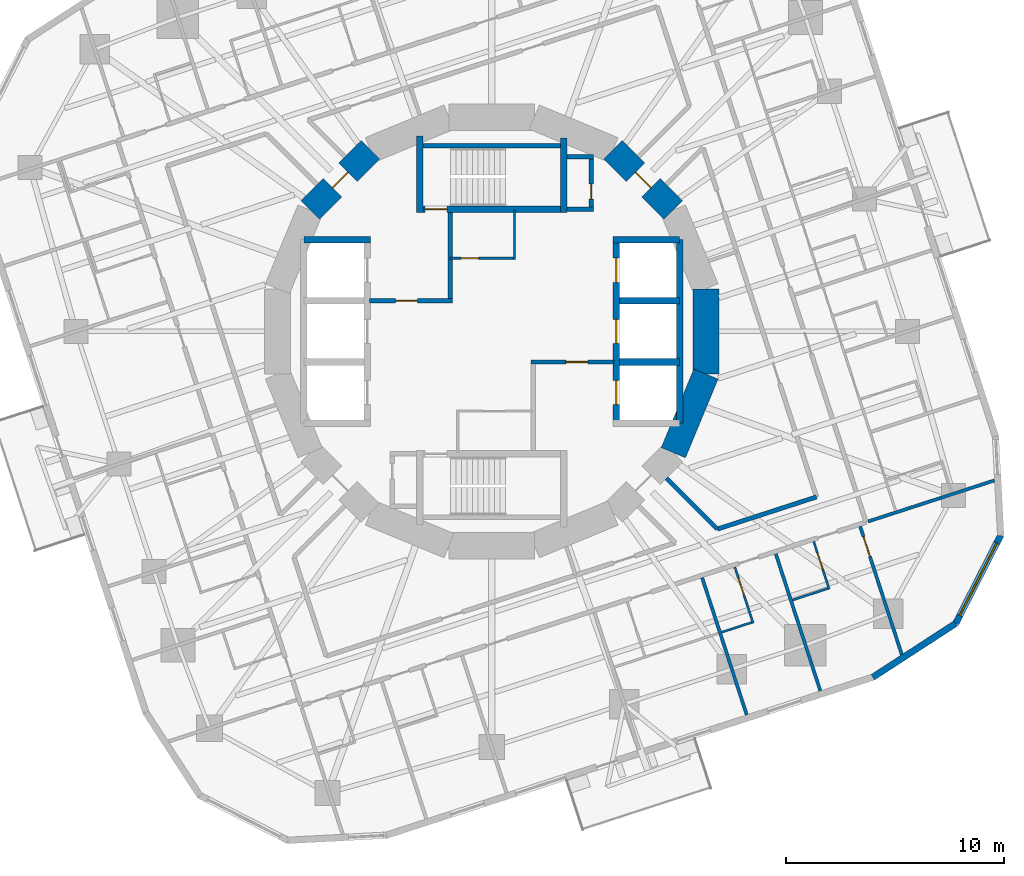
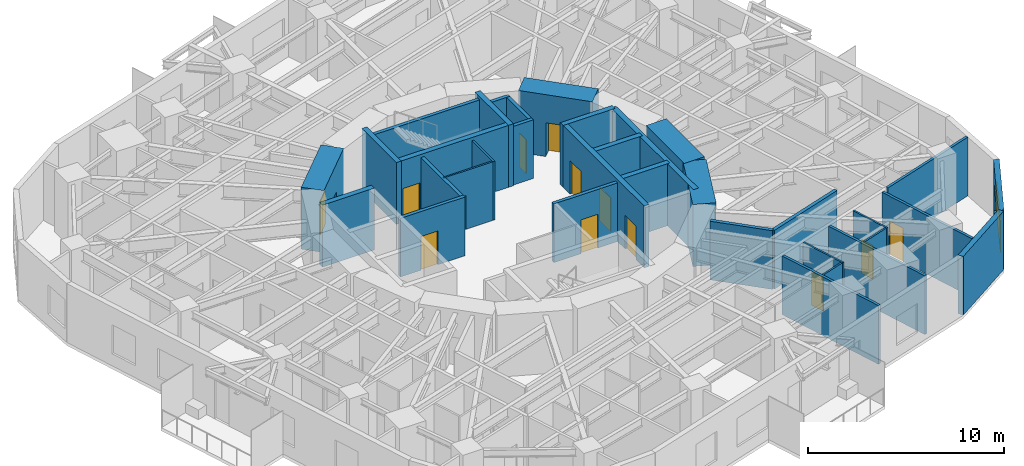
# One storey, part 7 of 12: 34 walls, 13 doors, 1 window, 14 openings.
"""IFC4 building model written with IfcOpenShell, lengths in metres."""

from ifc_helpers import new_model, si_unit, direction, frame, frame_2d, origin, place, context, subcontext, project, spatial, rectangle, extrude, material, layer, layer_set, type_object, element, fill, save


model = new_model("IFC4")

# Units and contexts
model_context = context("Model", 3, precision=1e-05, world=origin(), true_north=direction((0.0, 1.0)))
body_context = subcontext(model_context, "Body", "Model", "MODEL_VIEW")
ifc_project = project(units=[si_unit("LENGTHUNIT", "METRE"), si_unit("AREAUNIT", "SQUARE_METRE"), si_unit("VOLUMEUNIT", "CUBIC_METRE"), si_unit("PLANEANGLEUNIT", "RADIAN"), si_unit("MASSUNIT", "GRAM", prefix="KILO")], contexts=[model_context])

# Site, building, storey
site_placement = place(None, origin())
site = spatial("IfcSite", under=ifc_project, at=site_placement, CompositionType="ELEMENT")
building_placement = place(site_placement, origin())
building = spatial("IfcBuilding", under=site, at=building_placement, Name="Nakasero Lantern House", CompositionType="ELEMENT")
storey_placement = place(building_placement, frame((0.0, 0.0, 153.35009765625)))
storey = spatial("IfcBuildingStorey", under=building, at=storey_placement, Name="L37", CompositionType="ELEMENT", Elevation=153.35009765625)

# Wall, openings, doors
ifc_material_1 = material(Name="Concrete C50/60", Category="concrete")
ifc_layer_1 = layer(ifc_material_1, 0.300048828125)
ifc_layer_set_1 = layer_set([ifc_layer_1], Name="Core inner wall 300")
wall_type_1 = type_object("IfcWallType", Name="Core inner wall 300", PredefinedType="SHEAR", material=ifc_layer_set_1)
wall_1_placement = place(storey_placement, frame((5.699951171875, -4.199951171875, 0.0), z_axis=(0.0, 0.0, 1.0), x_axis=(0.0, 1.0, 0.0)))
wall_1 = element("IfcWall", 1, at=wall_1_placement, inside=storey, type_object=wall_type_1, Name="Core inner wall L37 LE", PredefinedType="SHEAR", context=body_context, shape_type="SweptSolid", body=[
    extrude(rectangle(XDim=8.39990234375, YDim=0.300048828125, at=frame_2d((4.199951171875, 0.0))), origin(), (0.0, 0.0, 1.0), 3.849853515625),
])
opening_1_placement = place(wall_1_placement, frame((0.85009765625, 0.0, 0.0)))
opening_1 = element("IfcOpeningElement", 2, at=opening_1_placement, cuts=wall_1, Name="Opening LD", PredefinedType="OPENING", context=body_context, shape_type="SweptSolid", body=[
    extrude(rectangle(XDim=1.10009765625, YDim=2.10009765625, at=frame_2d((0.550048828125, 1.050048828125))), frame((0.0, 0.169921875, 0.0), z_axis=(0.0, -1.0, 0.0), x_axis=(1.0, 0.0, 0.0)), (0.0, 0.0, 1.0), 0.340087890625),
])
opening_2_placement = place(wall_1_placement, frame((3.64990234375, 0.0, 0.0)))
opening_2 = element("IfcOpeningElement", 3, at=opening_2_placement, cuts=wall_1, Name="Opening LD", PredefinedType="OPENING", context=body_context, shape_type="SweptSolid", body=[
    extrude(rectangle(XDim=1.10009765625, YDim=2.10009765625, at=frame_2d((0.550048828125, 1.050048828125))), frame((0.0, 0.169921875, 0.0), z_axis=(0.0, -1.0, 0.0), x_axis=(1.0, 0.0, 0.0)), (0.0, 0.0, 1.0), 0.340087890625),
])
opening_3_placement = place(wall_1_placement, frame((6.449951171875, 0.0, 0.0)))
opening_3 = element("IfcOpeningElement", 4, at=opening_3_placement, cuts=wall_1, Name="Opening LD", PredefinedType="OPENING", context=body_context, shape_type="SweptSolid", body=[
    extrude(rectangle(XDim=1.10009765625, YDim=2.10009765625, at=frame_2d((0.550048828125, 1.050048828125))), frame((0.0, 0.169921875, 0.0), z_axis=(0.0, -1.0, 0.0), x_axis=(1.0, 0.0, 0.0)), (0.0, 0.0, 1.0), 0.340087890625),
])
ifc_material_2 = material(Name="Steel S355", Category="steel")
door_type_1 = type_object("IfcDoorType", Name="Lift landing door E120 1100", OperationType="SLIDING_TO_LEFT", PredefinedType="DOOR", material=ifc_material_2)
door_1_placement = place(opening_1_placement, origin())
door_1 = element("IfcDoor", 5, at=door_1_placement, inside=storey, type_object=door_type_1, Name="Lift landing door LE1", OperationType="SLIDING_TO_LEFT", OverallHeight=2.10009765625, OverallWidth=1.10009765625, PredefinedType="DOOR", context=body_context, shape_type="SweptSolid", body=[
    extrude(rectangle(XDim=1.10009765625, YDim=2.10009765625, at=frame_2d((0.550048828125, 1.050048828125))), frame((0.0, 0.02490234375, 0.0), z_axis=(0.0, -1.0, 0.0), x_axis=(1.0, 0.0, 0.0)), (0.0, 0.0, 1.0), 0.050048828125),
])
fill(opening_1, door_1)
door_2_placement = place(opening_2_placement, origin())
door_2 = element("IfcDoor", 6, at=door_2_placement, inside=storey, type_object=door_type_1, Name="Lift landing door LE2", OperationType="SLIDING_TO_LEFT", OverallHeight=2.10009765625, OverallWidth=1.10009765625, PredefinedType="DOOR", context=body_context, shape_type="SweptSolid", body=[
    extrude(rectangle(XDim=1.10009765625, YDim=2.10009765625, at=frame_2d((0.550048828125, 1.050048828125))), frame((0.0, 0.02490234375, 0.0), z_axis=(0.0, -1.0, 0.0), x_axis=(1.0, 0.0, 0.0)), (0.0, 0.0, 1.0), 0.050048828125),
])
fill(opening_2, door_2)
door_3_placement = place(opening_3_placement, origin())
door_3 = element("IfcDoor", 7, at=door_3_placement, inside=storey, type_object=door_type_1, Name="Lift landing door LE3", OperationType="SLIDING_TO_LEFT", OverallHeight=2.10009765625, OverallWidth=1.10009765625, PredefinedType="DOOR", context=body_context, shape_type="SweptSolid", body=[
    extrude(rectangle(XDim=1.10009765625, YDim=2.10009765625, at=frame_2d((0.550048828125, 1.050048828125))), frame((0.0, 0.02490234375, 0.0), z_axis=(0.0, -1.0, 0.0), x_axis=(1.0, 0.0, 0.0)), (0.0, 0.0, 1.0), 0.050048828125),
])
fill(opening_3, door_3)

# Walls
for number, where, z_axis, x_axis, name in (
    (8, (-8.60009765625, 4.199951171875, 0.0), (0.0, 0.0, 1.0), (1.0, 0.0, 0.0), "Core inner wall L37 LWN"),
    (9, (5.550048828125, 4.199951171875, 0.0), (0.0, 0.0, 1.0), (1.0, 0.0, 0.0), "Core inner wall L37 LEN"),
):
    element("IfcWall", number, at=place(storey_placement, frame(where, z_axis=z_axis, x_axis=x_axis)), inside=storey, type_object=wall_type_1, Name=name, PredefinedType="SHEAR", context=body_context, shape_type="SweptSolid", body=[
        extrude(rectangle(XDim=3.050048828125, YDim=0.300048828125, at=frame_2d((1.52490234375, 0.0))), origin(), (0.0, 0.0, 1.0), 3.849853515625),
    ])
wall_2_placement = place(storey_placement, frame((8.60009765625, -4.199951171875, 0.0), z_axis=(0.0, 0.0, 1.0), x_axis=(0.0, 1.0, 0.0)))
element("IfcWall", 10, at=wall_2_placement, inside=storey, type_object=wall_type_1, Name="Core inner wall L37 LEB", PredefinedType="SHEAR", context=body_context, shape_type="SweptSolid", body=[
    extrude(rectangle(XDim=8.39990234375, YDim=0.300048828125, at=frame_2d((4.199951171875, 0.0))), origin(), (0.0, 0.0, 1.0), 3.849853515625),
])
for number, where, z_axis, x_axis, name in (
    (11, (5.85009765625, -1.39990234375, 0.0), (0.0, 0.0, 1.0), (1.0, 0.0, 0.0), "Core inner wall L37 LE1"),
    (12, (5.85009765625, 1.39990234375, 0.0), (0.0, 0.0, 1.0), (1.0, 0.0, 0.0), "Core inner wall L37 LE2"),
):
    element("IfcWall", number, at=place(storey_placement, frame(where, z_axis=z_axis, x_axis=x_axis)), inside=storey, type_object=wall_type_1, Name=name, PredefinedType="SHEAR", context=body_context, shape_type="SweptSolid", body=[
        extrude(rectangle(XDim=2.75, YDim=0.300048828125, at=frame_2d((1.375, 0.0))), origin(), (0.0, 0.0, 1.0), 3.849853515625),
    ])

# Wall, opening, door
wall_3_placement = place(storey_placement, frame((-3.449951171875, 5.60009765625, 0.0), z_axis=(0.0, 0.0, 1.0), x_axis=(1.0, 0.0, 0.0)))
wall_3 = element("IfcWall", 13, at=wall_3_placement, inside=storey, type_object=wall_type_1, Name="Core inner wall L37 SN", PredefinedType="SHEAR", context=body_context, shape_type="SweptSolid", body=[
    extrude(rectangle(XDim=6.89990234375, YDim=0.300048828125, at=frame_2d((3.449951171875, 0.0))), origin(), (0.0, 0.0, 1.0), 3.849853515625),
])
opening_4_placement = place(wall_3_placement, frame((0.39990234375, 0.0, 0.0)))
opening_4 = element("IfcOpeningElement", 14, at=opening_4_placement, cuts=wall_3, Name="Opening D05", PredefinedType="OPENING", context=body_context, shape_type="SweptSolid", body=[
    extrude(rectangle(XDim=1.0, YDim=2.10009765625, at=frame_2d((0.5, 1.050048828125))), frame((0.0, 0.169921875, 0.0), z_axis=(0.0, -1.0, 0.0), x_axis=(1.0, 0.0, 0.0)), (0.0, 0.0, 1.0), 0.340087890625),
])
ifc_material_3 = material(Name="Timber C24", Category="wood")
door_type_2 = type_object("IfcDoorType", Name="Core door FD60S 1000", OperationType="SINGLE_SWING_LEFT", PredefinedType="DOOR", material=ifc_material_3)
door_4_placement = place(opening_4_placement, origin())
door_4 = element("IfcDoor", 15, at=door_4_placement, inside=storey, type_object=door_type_2, Name="Door L37 D-ST1", OperationType="SINGLE_SWING_LEFT", OverallHeight=2.10009765625, OverallWidth=1.0, PredefinedType="DOOR", context=body_context, shape_type="SweptSolid", body=[
    extrude(rectangle(XDim=1.0, YDim=2.10009765625, at=frame_2d((0.5, 1.050048828125))), frame((0.0, 0.02490234375, 0.0), z_axis=(0.0, -1.0, 0.0), x_axis=(1.0, 0.0, 0.0)), (0.0, 0.0, 1.0), 0.050048828125),
])
fill(opening_4, door_4)

# Walls
wall_4_placement = place(storey_placement, frame((-3.300048828125, 5.449951171875, 0.0), z_axis=(0.0, 0.0, 1.0), x_axis=(0.0, 1.0, 0.0)))
element("IfcWall", 16, at=wall_4_placement, inside=storey, type_object=wall_type_1, Name="Core inner wall L37 SNW", PredefinedType="SHEAR", context=body_context, shape_type="SweptSolid", body=[
    extrude(rectangle(XDim=3.5, YDim=0.300048828125, at=frame_2d((1.75, 0.0))), origin(), (0.0, 0.0, 1.0), 3.849853515625),
])
wall_5_placement = place(storey_placement, frame((3.300048828125, 5.449951171875, 0.0), z_axis=(0.0, 0.0, 1.0), x_axis=(0.0, 1.0, 0.0)))
element("IfcWall", 17, at=wall_5_placement, inside=storey, type_object=wall_type_1, Name="Core inner wall L37 SNE", PredefinedType="SHEAR", context=body_context, shape_type="SweptSolid", body=[
    extrude(rectangle(XDim=3.400146484375, YDim=0.300048828125, at=frame_2d((1.7001953125, 0.0))), origin(), (0.0, 0.0, 1.0), 3.849853515625),
])

# Wall, opening, door
ifc_material_4 = material(Name="Blockwork", Category="masonry")
ifc_layer_2 = layer(ifc_material_4, 0.10009765625)
ifc_layer_set_2 = layer_set([ifc_layer_2], Name="Core room wall 100")
wall_type_2 = type_object("IfcWallType", Name="Core room wall 100", PredefinedType="PARTITIONING", material=ifc_layer_set_2)
wall_6_placement = place(storey_placement, frame((-1.89990234375, 3.35009765625, 0.0), z_axis=(0.0, 0.0, 1.0), x_axis=(1.0, 0.0, 0.0)))
wall_6 = element("IfcWall", 18, at=wall_6_placement, inside=storey, type_object=wall_type_2, Name="Core room wall L37 CR-NES", PredefinedType="PARTITIONING", context=body_context, shape_type="SweptSolid", body=[
    extrude(rectangle(XDim=3.0, YDim=0.10009765625, at=frame_2d((1.5, 0.0))), origin(), (0.0, 0.0, 1.0), 3.64990234375),
])
opening_5_placement = place(wall_6_placement, frame((0.5, 0.0, 0.0)))
opening_5 = element("IfcOpeningElement", 19, at=opening_5_placement, cuts=wall_6, Name="Opening D15", PredefinedType="OPENING", context=body_context, shape_type="SweptSolid", body=[
    extrude(rectangle(XDim=0.800048828125, YDim=2.10009765625, at=frame_2d((0.39990234375, 1.050048828125))), frame((0.0, 0.070068359375, 0.0), z_axis=(0.0, -1.0, 0.0), x_axis=(1.0, 0.0, 0.0)), (0.0, 0.0, 1.0), 0.14013671875),
])
ifc_material_5 = material(Name="Timber C24", Category="wood")
door_type_3 = type_object("IfcDoorType", Name="Cleaner's store door FD30S 800", OperationType="SINGLE_SWING_LEFT", PredefinedType="DOOR", material=ifc_material_5)
door_5_placement = place(opening_5_placement, origin())
door_5 = element("IfcDoor", 20, at=door_5_placement, inside=storey, type_object=door_type_3, Name="Door L37 D-CR-NE", OperationType="SINGLE_SWING_LEFT", OverallHeight=2.10009765625, OverallWidth=0.800048828125, PredefinedType="DOOR", context=body_context, shape_type="SweptSolid", body=[
    extrude(rectangle(XDim=0.800048828125, YDim=2.10009765625, at=frame_2d((0.39990234375, 1.050048828125))), frame((0.0, 0.02490234375, 0.0), z_axis=(0.0, -1.0, 0.0), x_axis=(1.0, 0.0, 0.0)), (0.0, 0.0, 1.0), 0.050048828125),
])
fill(opening_5, door_5)

# Wall
wall_7_placement = place(storey_placement, frame((1.050048828125, 3.300048828125, 0.0), z_axis=(0.0, 0.0, 1.0), x_axis=(0.0, 1.0, 0.0)))
element("IfcWall", 21, at=wall_7_placement, inside=storey, type_object=wall_type_2, Name="Core room wall L37 CR-NEE", PredefinedType="PARTITIONING", context=body_context, shape_type="SweptSolid", body=[
    extrude(rectangle(XDim=2.25, YDim=0.10009765625, at=frame_2d((1.125, 0.0))), origin(), (0.0, 0.0, 1.0), 3.64990234375),
])

# Wall, opening, door
ifc_material_6 = material(Name="Concrete C50/60", Category="concrete")
ifc_layer_3 = layer(ifc_material_6, 1.199951171875)
ifc_layer_set_3 = layer_set([ifc_layer_3], Name="Core wall 1200")
wall_type_3 = type_object("IfcWallType", Name="Core wall 1200", PredefinedType="SHEAR", material=ifc_layer_set_3)
wall_8_placement = place(storey_placement, frame((8.314697265625, 5.5556640625, 0.0), z_axis=(0.0, 0.0, 1.0), x_axis=(-0.707106781187, 0.707106781187, 0.0)))
wall_8 = element("IfcWall", 22, at=wall_8_placement, inside=storey, type_object=wall_type_3, Name="Core wall L37 facet 2", PredefinedType="SHEAR", context=body_context, shape_type="SweptSolid", body=[
    extrude(rectangle(XDim=3.90185546875, YDim=1.199951171875, at=frame_2d((1.950927734375, 0.0))), origin(), (0.0, 0.0, 1.0), 3.849853515625),
])
opening_6_placement = place(wall_8_placement, frame((1.450927734375, 0.0, 0.0)))
opening_6 = element("IfcOpeningElement", 23, at=opening_6_placement, cuts=wall_8, Name="Opening D05", PredefinedType="OPENING", context=body_context, shape_type="SweptSolid", body=[
    extrude(rectangle(XDim=1.0, YDim=2.10009765625, at=frame_2d((0.5, 1.050048828125))), frame((0.0, 0.619873046875, 0.0), z_axis=(0.0, -1.0, 0.0), x_axis=(1.0, 0.0, 0.0)), (0.0, 0.0, 1.0), 1.239990234375),
])
door_6_placement = place(opening_6_placement, origin())
door_6 = element("IfcDoor", 24, at=door_6_placement, inside=storey, type_object=door_type_2, Name="Door L37 D-CORE02", OperationType="SINGLE_SWING_LEFT", OverallHeight=2.10009765625, OverallWidth=1.0, PredefinedType="DOOR", context=body_context, shape_type="SweptSolid", body=[
    extrude(rectangle(XDim=1.0, YDim=2.10009765625, at=frame_2d((0.5, 1.050048828125))), frame((0.0, 0.02490234375, 0.0), z_axis=(0.0, -1.0, 0.0), x_axis=(1.0, 0.0, 0.0)), (0.0, 0.0, 1.0), 0.050048828125),
])
fill(opening_6, door_6)

wall_9_placement = place(storey_placement, frame((-5.5556640625, 8.314697265625, 0.0), z_axis=(0.0, 0.0, 1.0), x_axis=(-0.707106781187, -0.707106781187, 0.0)))
wall_9 = element("IfcWall", 25, at=wall_9_placement, inside=storey, type_object=wall_type_3, Name="Core wall L37 facet 6", PredefinedType="SHEAR", context=body_context, shape_type="SweptSolid", body=[
    extrude(rectangle(XDim=3.90185546875, YDim=1.199951171875, at=frame_2d((1.950927734375, 0.0))), origin(), (0.0, 0.0, 1.0), 3.849853515625),
])
opening_7_placement = place(wall_9_placement, frame((1.450927734375, 0.0, 0.0)))
opening_7 = element("IfcOpeningElement", 26, at=opening_7_placement, cuts=wall_9, Name="Opening D05", PredefinedType="OPENING", context=body_context, shape_type="SweptSolid", body=[
    extrude(rectangle(XDim=1.0, YDim=2.10009765625, at=frame_2d((0.5, 1.050048828125))), frame((0.0, 0.619873046875, 0.0), z_axis=(0.0, -1.0, 0.0), x_axis=(1.0, 0.0, 0.0)), (0.0, 0.0, 1.0), 1.239990234375),
])
door_7_placement = place(opening_7_placement, origin())
door_7 = element("IfcDoor", 27, at=door_7_placement, inside=storey, type_object=door_type_2, Name="Door L37 D-CORE06", OperationType="SINGLE_SWING_LEFT", OverallHeight=2.10009765625, OverallWidth=1.0, PredefinedType="DOOR", context=body_context, shape_type="SweptSolid", body=[
    extrude(rectangle(XDim=1.0, YDim=2.10009765625, at=frame_2d((0.5, 1.050048828125))), frame((0.0, 0.02490234375, 0.0), z_axis=(0.0, -1.0, 0.0), x_axis=(1.0, 0.0, 0.0)), (0.0, 0.0, 1.0), 0.050048828125),
])
fill(opening_7, door_7)

# Walls
for number, where, z_axis, x_axis, name in (
    (28, (8.314697265625, -5.5556640625, 0.0), (0.0, 0.0, 1.0), (0.382690736062, 0.923876507187, 0.0), "Core wall L37 facet 15"),
    (29, (9.807861328125, -1.950927734375, 0.0), (0.0, 0.0, 1.0), (0.0, 1.0, 0.0), "Core wall L37 facet 16"),
):
    element("IfcWall", number, at=place(storey_placement, frame(where, z_axis=z_axis, x_axis=x_axis)), inside=storey, type_object=wall_type_3, Name=name, PredefinedType="SHEAR", context=body_context, shape_type="SweptSolid", body=[
        extrude(rectangle(XDim=3.90185546875, YDim=1.199951171875, at=frame_2d((1.950927734375, 0.0))), origin(), (0.0, 0.0, 1.0), 3.849853515625),
    ])
ifc_material_7 = material(Name="Blockwork", Category="masonry")
ifc_layer_4 = layer(ifc_material_7, 0.199951171875)
ifc_layer_set_4 = layer_set([ifc_layer_4], Name="Corridor wall 200")
wall_type_4 = type_object("IfcWallType", Name="Corridor wall 200", PredefinedType="PARTITIONING", material=ifc_layer_set_4)
wall_10_placement = place(storey_placement, frame((10.3251953125, -9.052490234375, 0.0), z_axis=(0.0, 0.0, 1.0), x_axis=(0.951057724773, 0.309013275037, 0.0)))
element("IfcWall", 30, at=wall_10_placement, inside=storey, type_object=wall_type_4, Name="Corridor wall L37 IW3-1", PredefinedType="PARTITIONING", context=body_context, shape_type="SweptSolid", body=[
    extrude(rectangle(XDim=4.777587890625, YDim=0.199951171875, at=frame_2d((2.388671875, 0.0))), origin(), (0.0, 0.0, 1.0), 3.64990234375),
])
wall_11_placement = place(storey_placement, frame((7.995849609375, -6.72314453125, 0.0), z_axis=(0.0, 0.0, 1.0), x_axis=(0.707106781187, -0.707106781187, 0.0)))
element("IfcWall", 31, at=wall_11_placement, inside=storey, type_object=wall_type_4, Name="Corridor wall L37 PS14a", PredefinedType="PARTITIONING", context=body_context, shape_type="SweptSolid", body=[
    extrude(rectangle(XDim=3.294189453125, YDim=0.199951171875, at=frame_2d((1.64697265625, 0.0))), origin(), (0.0, 0.0, 1.0), 3.64990234375),
])

# Wall, opening, door
ifc_material_8 = material(Name="Blockwork", Category="masonry")
ifc_layer_5 = layer(ifc_material_8, 0.10009765625)
ifc_layer_set_5 = layer_set([ifc_layer_5], Name="En-suite wall 100")
wall_type_5 = type_object("IfcWallType", Name="En-suite wall 100", PredefinedType="PARTITIONING", material=ifc_layer_set_5)
wall_12_placement = place(storey_placement, frame((11.131591796875, -10.7880859375, 0.0), z_axis=(0.0, 0.0, 1.0), x_axis=(0.309057448393, -0.951043371037, 0.0)))
wall_12 = element("IfcWall", 32, at=wall_12_placement, inside=storey, type_object=wall_type_5, Name="En-suite wall L37 ES3-05", PredefinedType="PARTITIONING", context=body_context, shape_type="SweptSolid", body=[
    extrude(rectangle(XDim=2.699951171875, YDim=0.10009765625, at=frame_2d((1.35009765625, 0.0))), origin(), (0.0, 0.0, 1.0), 3.64990234375),
])
opening_8_placement = place(wall_12_placement, frame((0.550048828125, 0.0, 0.0)))
opening_8 = element("IfcOpeningElement", 33, at=opening_8_placement, cuts=wall_12, Name="Opening D02", PredefinedType="OPENING", context=body_context, shape_type="SweptSolid", body=[
    extrude(rectangle(XDim=0.800048828125, YDim=2.10009765625, at=frame_2d((0.39990234375, 1.050048828125))), frame((0.0, 0.070068359375, 0.0), z_axis=(0.0, -1.0, 0.0), x_axis=(1.0, 0.0, 0.0)), (0.0, 0.0, 1.0), 0.14013671875),
])
ifc_material_9 = material(Name="Timber C24", Category="wood")
door_type_4 = type_object("IfcDoorType", Name="En-suite door 800", OperationType="SINGLE_SWING_RIGHT", PredefinedType="DOOR", material=ifc_material_9)
door_8_placement = place(opening_8_placement, origin())
door_8 = element("IfcDoor", 34, at=door_8_placement, inside=storey, type_object=door_type_4, Name="Door L37 DE3-05", OperationType="SINGLE_SWING_LEFT", OverallHeight=2.10009765625, OverallWidth=0.800048828125, PredefinedType="DOOR", context=body_context, shape_type="SweptSolid", body=[
    extrude(rectangle(XDim=0.800048828125, YDim=2.10009765625, at=frame_2d((0.39990234375, 1.050048828125))), frame((0.0, 0.02490234375, 0.0), z_axis=(0.0, -1.0, 0.0), x_axis=(1.0, 0.0, 0.0)), (0.0, 0.0, 1.0), 0.050048828125),
])
fill(opening_8, door_8)

# Wall
wall_13_placement = place(storey_placement, frame((10.52392578125, -13.77197265625, 0.0), z_axis=(0.0, 0.0, 1.0), x_axis=(0.951079836914, 0.308945211672, 0.0)))
element("IfcWall", 35, at=wall_13_placement, inside=storey, type_object=wall_type_5, Name="En-suite wall L37 EE3-05", PredefinedType="PARTITIONING", context=body_context, shape_type="SweptSolid", body=[
    extrude(rectangle(XDim=1.4501953125, YDim=0.10009765625, at=frame_2d((0.72509765625, 0.0))), origin(), (0.0, 0.0, 1.0), 3.64990234375),
])

# Wall, opening, door
wall_14_placement = place(storey_placement, frame((14.740234375, -9.61572265625, 0.0), z_axis=(0.0, 0.0, 1.0), x_axis=(0.309021261611, -0.951055129775, 0.0)))
wall_14 = element("IfcWall", 36, at=wall_14_placement, inside=storey, type_object=wall_type_5, Name="En-suite wall L37 ES3-06", PredefinedType="PARTITIONING", context=body_context, shape_type="SweptSolid", body=[
    extrude(rectangle(XDim=2.2998046875, YDim=0.10009765625, at=frame_2d((1.14990234375, 0.0))), origin(), (0.0, 0.0, 1.0), 3.64990234375),
])
opening_9_placement = place(wall_14_placement, frame((0.550048828125, 0.0, 0.0)))
opening_9 = element("IfcOpeningElement", 37, at=opening_9_placement, cuts=wall_14, Name="Opening D02", PredefinedType="OPENING", context=body_context, shape_type="SweptSolid", body=[
    extrude(rectangle(XDim=0.800048828125, YDim=2.10009765625, at=frame_2d((0.39990234375, 1.050048828125))), frame((0.0, 0.070068359375, 0.0), z_axis=(0.0, -1.0, 0.0), x_axis=(1.0, 0.0, 0.0)), (0.0, 0.0, 1.0), 0.14013671875),
])
door_9_placement = place(opening_9_placement, origin())
door_9 = element("IfcDoor", 38, at=door_9_placement, inside=storey, type_object=door_type_4, Name="Door L37 DE3-06", OperationType="SINGLE_SWING_LEFT", OverallHeight=2.10009765625, OverallWidth=0.800048828125, PredefinedType="DOOR", context=body_context, shape_type="SweptSolid", body=[
    extrude(rectangle(XDim=0.800048828125, YDim=2.10009765625, at=frame_2d((0.39990234375, 1.050048828125))), frame((0.0, 0.02490234375, 0.0), z_axis=(0.0, -1.0, 0.0), x_axis=(1.0, 0.0, 0.0)), (0.0, 0.0, 1.0), 0.050048828125),
])
fill(opening_9, door_9)

# Walls
wall_15_placement = place(storey_placement, frame((13.771240234375, -12.29638671875, 0.0), z_axis=(0.0, 0.0, 1.0), x_axis=(0.951040401051, 0.309066587596, 0.0)))
element("IfcWall", 39, at=wall_15_placement, inside=storey, type_object=wall_type_5, Name="En-suite wall L37 EE3-06", PredefinedType="PARTITIONING", context=body_context, shape_type="SweptSolid", body=[
    extrude(rectangle(XDim=1.699951171875, YDim=0.10009765625, at=frame_2d((0.85009765625, 0.0))), origin(), (0.0, 0.0, 1.0), 3.64990234375),
])
ifc_material_10 = material(Name="Aluminium rainscreen on blockwork", Category="masonry")
ifc_layer_6 = layer(ifc_material_10, 0.300048828125)
ifc_layer_set_6 = layer_set([ifc_layer_6], Name="Facade wall 300")
wall_type_6 = type_object("IfcWallType", Name="Facade wall 300", PredefinedType="SOLIDWALL", material=ifc_layer_set_6)
wall_16_placement = place(storey_placement, frame((17.44677734375, -15.83349609375, 0.0), z_axis=(0.0, 0.0, 1.0), x_axis=(0.838673836229, 0.544634002266, 0.0)))
element("IfcWall", 40, at=wall_16_placement, inside=storey, type_object=wall_type_6, Name="Facade wall L37 FW3C1", PredefinedType="SOLIDWALL", context=body_context, shape_type="SweptSolid", body=[
    extrude(rectangle(XDim=4.529296875, YDim=0.300048828125, at=frame_2d((2.2646484375, 0.0))), origin(), (0.0, 0.0, 1.0), 3.64990234375),
])

# Wall, opening, window
wall_17_placement = place(storey_placement, frame((21.245361328125, -13.36669921875, 0.0), z_axis=(0.0, 0.0, 1.0), x_axis=(0.454013792196, 0.890994655705, 0.0)))
wall_17 = element("IfcWall", 41, at=wall_17_placement, inside=storey, type_object=wall_type_6, Name="Facade wall L37 FW3C2", PredefinedType="SOLIDWALL", context=body_context, shape_type="SweptSolid", body=[
    extrude(rectangle(XDim=4.529296875, YDim=0.300048828125, at=frame_2d((2.2646484375, 0.0))), origin(), (0.0, 0.0, 1.0), 3.64990234375),
])
opening_10_placement = place(wall_17_placement, frame((0.39990234375, 0.0, 0.75)))
opening_10 = element("IfcOpeningElement", 42, at=opening_10_placement, cuts=wall_17, Name="Opening W237A", PredefinedType="OPENING", context=body_context, shape_type="SweptSolid", body=[
    extrude(rectangle(XDim=3.72900390625, YDim=1.800048828125, at=frame_2d((1.864501953125, 0.89990234375))), frame((0.0, 0.169921875, 0.0), z_axis=(0.0, -1.0, 0.0), x_axis=(1.0, 0.0, 0.0)), (0.0, 0.0, 1.0), 0.340087890625),
])
ifc_material_11 = material(Name="Aluminium 6063-T6 and glass", Category="aluminium")
window_type = type_object("IfcWindowType", Name="Corner window 3729x1800", PartitioningType="SINGLE_PANEL", PredefinedType="WINDOW", material=ifc_material_11)
window_placement = place(opening_10_placement, origin())
window = element("IfcWindow", 43, at=window_placement, inside=storey, type_object=window_type, Name="Window L37 WC3", OverallHeight=1.800048828125, OverallWidth=3.72900390625, PartitioningType="SINGLE_PANEL", PredefinedType="WINDOW", context=body_context, shape_type="SweptSolid", body=[
    extrude(rectangle(XDim=3.72900390625, YDim=1.800048828125, at=frame_2d((1.864501953125, 0.89990234375))), frame((0.0, 0.030029296875, 0.0), z_axis=(0.0, -1.0, 0.0), x_axis=(1.0, 0.0, 0.0)), (0.0, 0.0, 1.0), 0.06005859375),
])
fill(opening_10, window)

# Wall, opening, door
ifc_material_12 = material(Name="Blockwork", Category="masonry")
ifc_layer_7 = layer(ifc_material_12, 0.199951171875)
ifc_layer_set_7 = layer_set([ifc_layer_7], Name="Fire lobby wall 200")
wall_type_7 = type_object("IfcWallType", Name="Fire lobby wall 200", PredefinedType="PARTITIONING", material=ifc_layer_set_7)
wall_18_placement = place(storey_placement, frame((-5.60009765625, 1.39990234375, 0.0), z_axis=(0.0, 0.0, 1.0), x_axis=(1.0, 0.0, 0.0)))
wall_18 = element("IfcWall", 44, at=wall_18_placement, inside=storey, type_object=wall_type_7, Name="Fire lobby wall L37 W-FL1S", PredefinedType="PARTITIONING", context=body_context, shape_type="SweptSolid", body=[
    extrude(rectangle(XDim=3.800048828125, YDim=0.199951171875, at=frame_2d((1.89990234375, 0.0))), origin(), (0.0, 0.0, 1.0), 3.64990234375),
])
opening_11_placement = place(wall_18_placement, frame((1.199951171875, 0.0, 0.0)))
opening_11 = element("IfcOpeningElement", 45, at=opening_11_placement, cuts=wall_18, Name="Opening D05", PredefinedType="OPENING", context=body_context, shape_type="SweptSolid", body=[
    extrude(rectangle(XDim=1.0, YDim=2.10009765625, at=frame_2d((0.5, 1.050048828125))), frame((0.0, 0.119873046875, 0.0), z_axis=(0.0, -1.0, 0.0), x_axis=(1.0, 0.0, 0.0)), (0.0, 0.0, 1.0), 0.239990234375),
])
door_10_placement = place(opening_11_placement, origin())
door_10 = element("IfcDoor", 46, at=door_10_placement, inside=storey, type_object=door_type_2, Name="Door L37 D-FL1", OperationType="SINGLE_SWING_LEFT", OverallHeight=2.10009765625, OverallWidth=1.0, PredefinedType="DOOR", context=body_context, shape_type="SweptSolid", body=[
    extrude(rectangle(XDim=1.0, YDim=2.10009765625, at=frame_2d((0.5, 1.050048828125))), frame((0.0, 0.02490234375, 0.0), z_axis=(0.0, -1.0, 0.0), x_axis=(1.0, 0.0, 0.0)), (0.0, 0.0, 1.0), 0.050048828125),
])
fill(opening_11, door_10)

# Wall
wall_19_placement = place(storey_placement, frame((-1.89990234375, 1.5, 0.0), z_axis=(0.0, 0.0, 1.0), x_axis=(0.0, 1.0, 0.0)))
element("IfcWall", 47, at=wall_19_placement, inside=storey, type_object=wall_type_7, Name="Fire lobby wall L37 W-FL1E", PredefinedType="PARTITIONING", context=body_context, shape_type="SweptSolid", body=[
    extrude(rectangle(XDim=3.949951171875, YDim=0.199951171875, at=frame_2d((1.97509765625, 0.0))), origin(), (0.0, 0.0, 1.0), 3.64990234375),
])

# Wall, opening, door
wall_20_placement = place(storey_placement, frame((5.60009765625, -1.39990234375, 0.0), z_axis=(0.0, 0.0, 1.0), x_axis=(-1.0, 0.0, 0.0)))
wall_20 = element("IfcWall", 48, at=wall_20_placement, inside=storey, type_object=wall_type_7, Name="Fire lobby wall L37 W-FL2N", PredefinedType="PARTITIONING", context=body_context, shape_type="SweptSolid", body=[
    extrude(rectangle(XDim=3.800048828125, YDim=0.199951171875, at=frame_2d((1.89990234375, 0.0))), origin(), (0.0, 0.0, 1.0), 3.64990234375),
])
opening_12_placement = place(wall_20_placement, frame((1.199951171875, 0.0, 0.0)))
opening_12 = element("IfcOpeningElement", 49, at=opening_12_placement, cuts=wall_20, Name="Opening D05", PredefinedType="OPENING", context=body_context, shape_type="SweptSolid", body=[
    extrude(rectangle(XDim=1.0, YDim=2.10009765625, at=frame_2d((0.5, 1.050048828125))), frame((0.0, 0.119873046875, 0.0), z_axis=(0.0, -1.0, 0.0), x_axis=(1.0, 0.0, 0.0)), (0.0, 0.0, 1.0), 0.239990234375),
])
door_11_placement = place(opening_12_placement, origin())
door_11 = element("IfcDoor", 50, at=door_11_placement, inside=storey, type_object=door_type_2, Name="Door L37 D-FL2", OperationType="SINGLE_SWING_LEFT", OverallHeight=2.10009765625, OverallWidth=1.0, PredefinedType="DOOR", context=body_context, shape_type="SweptSolid", body=[
    extrude(rectangle(XDim=1.0, YDim=2.10009765625, at=frame_2d((0.5, 1.050048828125))), frame((0.0, 0.02490234375, 0.0), z_axis=(0.0, -1.0, 0.0), x_axis=(1.0, 0.0, 0.0)), (0.0, 0.0, 1.0), 0.050048828125),
])
fill(opening_12, door_11)

wall_21_placement = place(storey_placement, frame((4.550048828125, 5.60009765625, 0.0), z_axis=(0.0, 0.0, 1.0), x_axis=(0.0, 1.0, 0.0)))
wall_21 = element("IfcWall", 51, at=wall_21_placement, inside=storey, type_object=wall_type_7, Name="Fire lobby wall L37 W-RS1E", PredefinedType="PARTITIONING", context=body_context, shape_type="SweptSolid", body=[
    extrude(rectangle(XDim=2.39990234375, YDim=0.199951171875, at=frame_2d((1.199951171875, 0.0))), origin(), (0.0, 0.0, 1.0), 3.64990234375),
])
opening_13_placement = place(wall_21_placement, frame((0.449951171875, 0.0, 0.0)))
opening_13 = element("IfcOpeningElement", 52, at=opening_13_placement, cuts=wall_21, Name="Opening D06", PredefinedType="OPENING", context=body_context, shape_type="SweptSolid", body=[
    extrude(rectangle(XDim=0.699951171875, YDim=2.10009765625, at=frame_2d((0.35009765625, 1.050048828125))), frame((0.0, 0.119873046875, 0.0), z_axis=(0.0, -1.0, 0.0), x_axis=(1.0, 0.0, 0.0)), (0.0, 0.0, 1.0), 0.239990234375),
])
ifc_material_13 = material(Name="Steel S355", Category="steel")
door_type_5 = type_object("IfcDoorType", Name="Riser door FD60 700", OperationType="SINGLE_SWING_LEFT", PredefinedType="DOOR", material=ifc_material_13)
door_12_placement = place(opening_13_placement, origin())
door_12 = element("IfcDoor", 53, at=door_12_placement, inside=storey, type_object=door_type_5, Name="Door L37 D-RS1", OperationType="SINGLE_SWING_LEFT", OverallHeight=2.10009765625, OverallWidth=0.699951171875, PredefinedType="DOOR", context=body_context, shape_type="SweptSolid", body=[
    extrude(rectangle(XDim=0.699951171875, YDim=2.10009765625, at=frame_2d((0.35009765625, 1.050048828125))), frame((0.0, 0.02490234375, 0.0), z_axis=(0.0, -1.0, 0.0), x_axis=(1.0, 0.0, 0.0)), (0.0, 0.0, 1.0), 0.050048828125),
])
fill(opening_13, door_12)

# Walls
for number, where, z_axis, x_axis, name in (
    (54, (3.449951171875, 8.0, 0.0), (0.0, 0.0, 1.0), (1.0, 0.0, 0.0), "Fire lobby wall L37 W-RS1N"),
    (55, (3.449951171875, 5.60009765625, 0.0), (0.0, 0.0, 1.0), (1.0, 0.0, 0.0), "Fire lobby wall L37 W-RS1S"),
):
    element("IfcWall", number, at=place(storey_placement, frame(where, z_axis=z_axis, x_axis=x_axis)), inside=storey, type_object=wall_type_7, Name=name, PredefinedType="PARTITIONING", context=body_context, shape_type="SweptSolid", body=[
        extrude(rectangle(XDim=1.199951171875, YDim=0.199951171875, at=frame_2d((0.60009765625, 0.0))), origin(), (0.0, 0.0, 1.0), 3.64990234375),
    ])
wall_22_placement = place(storey_placement, frame((-3.300048828125, 8.5, 0.0), z_axis=(0.0, 0.0, 1.0), x_axis=(1.0, 0.0, 0.0)))
element("IfcWall", 56, at=wall_22_placement, inside=storey, type_object=wall_type_7, Name="Fire lobby wall L37 W-STN", PredefinedType="PARTITIONING", context=body_context, shape_type="SweptSolid", body=[
    extrude(rectangle(XDim=6.60009765625, YDim=0.199951171875, at=frame_2d((3.300048828125, 0.0))), origin(), (0.0, 0.0, 1.0), 3.64990234375),
])
ifc_material_14 = material(Name="Blockwork", Category="masonry")
ifc_layer_8 = layer(ifc_material_14, 0.14990234375)
ifc_layer_set_8 = layer_set([ifc_layer_8], Name="Party wall 150")
wall_type_8 = type_object("IfcWallType", Name="Party wall 150", PredefinedType="PARTITIONING", material=ifc_layer_set_8)
wall_23_placement = place(storey_placement, frame((17.232177734375, -8.700927734375, 0.0), z_axis=(0.0, 0.0, 1.0), x_axis=(0.951057081836, 0.309015253813, 0.0)))
element("IfcWall", 57, at=wall_23_placement, inside=storey, type_object=wall_type_8, Name="Party wall L37 PW0-00", PredefinedType="PARTITIONING", context=body_context, shape_type="SweptSolid", body=[
    extrude(rectangle(XDim=6.080322265625, YDim=0.14990234375, at=frame_2d((3.0400390625, 0.0))), origin(), (0.0, 0.0, 1.0), 3.64990234375),
])
for number, where, z_axis, x_axis, name in (
    (58, (9.6337890625, -11.27490234375, 0.0), (0.0, 0.0, 1.0), (0.309027520945, -0.951053095941, 0.0), "Party wall L37 PW3-05"),
    (59, (13.004638671875, -10.1796875, 0.0), (0.0, 0.0, 1.0), (0.309027520945, -0.951053095941, 0.0), "Party wall L37 PW3-06"),
):
    element("IfcWall", number, at=place(storey_placement, frame(where, z_axis=z_axis, x_axis=x_axis)), inside=storey, type_object=wall_type_8, Name=name, PredefinedType="PARTITIONING", context=body_context, shape_type="SweptSolid", body=[
        extrude(rectangle(XDim=6.599853515625, YDim=0.14990234375, at=frame_2d((3.2998046875, 0.0))), origin(), (0.0, 0.0, 1.0), 3.64990234375),
    ])

# Wall, opening, door
wall_24_placement = place(storey_placement, frame((16.8662109375, -8.9248046875, 0.0), z_axis=(0.0, 0.0, 1.0), x_axis=(0.309031452366, -0.951051818488, 0.0)))
wall_24 = element("IfcWall", 60, at=wall_24_placement, inside=storey, type_object=wall_type_8, Name="Party wall L37 PC3", PredefinedType="PARTITIONING", context=body_context, shape_type="SweptSolid", body=[
    extrude(rectangle(XDim=6.165283203125, YDim=0.14990234375, at=frame_2d((3.08251953125, 0.0))), origin(), (0.0, 0.0, 1.0), 3.64990234375),
])
opening_14_placement = place(wall_24_placement, frame((0.5, 0.0, 0.0)))
opening_14 = element("IfcOpeningElement", 61, at=opening_14_placement, cuts=wall_24, Name="Opening D01", PredefinedType="OPENING", context=body_context, shape_type="SweptSolid", body=[
    extrude(rectangle(XDim=0.949951171875, YDim=2.10009765625, at=frame_2d((0.47509765625, 1.050048828125))), frame((0.0, 0.094970703125, 0.0), z_axis=(0.0, -1.0, 0.0), x_axis=(1.0, 0.0, 0.0)), (0.0, 0.0, 1.0), 0.18994140625),
])
ifc_material_15 = material(Name="Timber C24", Category="wood")
door_type_6 = type_object("IfcDoorType", Name="Bedroom door FD30S 950", OperationType="SINGLE_SWING_LEFT", PredefinedType="DOOR", material=ifc_material_15)
door_13_placement = place(opening_14_placement, origin())
door_13 = element("IfcDoor", 62, at=door_13_placement, inside=storey, type_object=door_type_6, Name="Door L37 DC3", OperationType="SINGLE_SWING_LEFT", OverallHeight=2.10009765625, OverallWidth=0.949951171875, PredefinedType="DOOR", context=body_context, shape_type="SweptSolid", body=[
    extrude(rectangle(XDim=0.949951171875, YDim=2.10009765625, at=frame_2d((0.47509765625, 1.050048828125))), frame((0.0, 0.02490234375, 0.0), z_axis=(0.0, -1.0, 0.0), x_axis=(1.0, 0.0, 0.0)), (0.0, 0.0, 1.0), 0.050048828125),
])
fill(opening_14, door_13)

save(model, "model.ifc")
